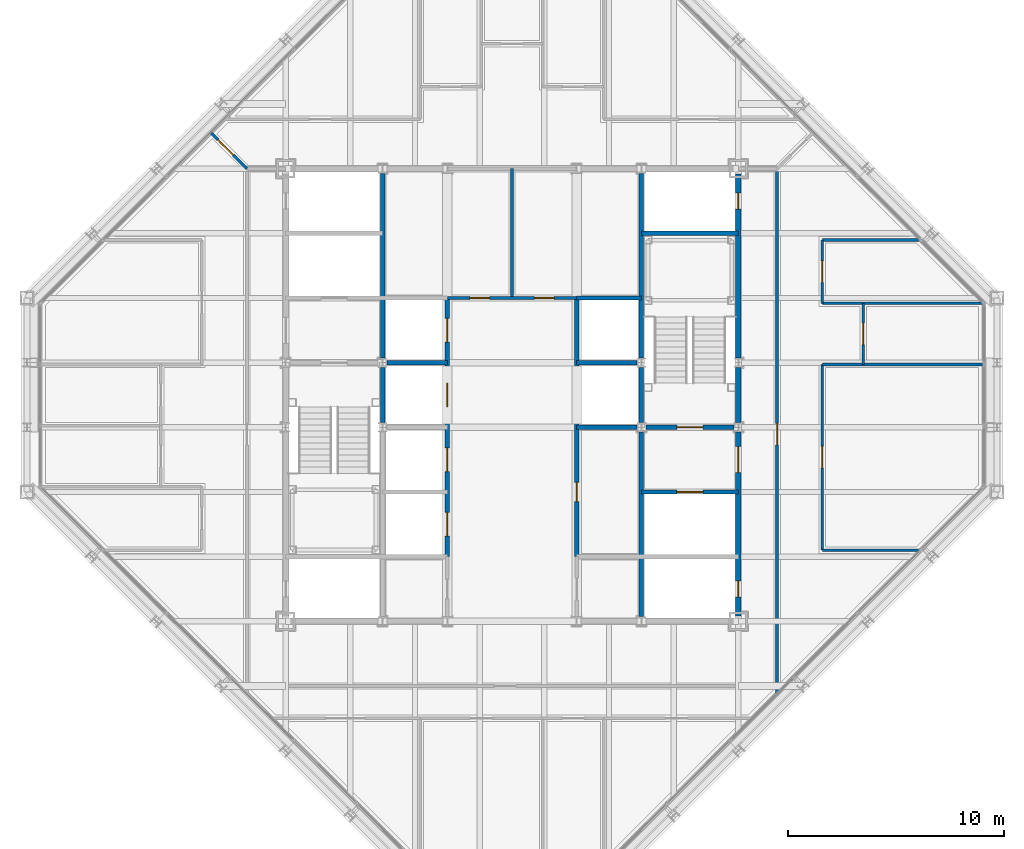
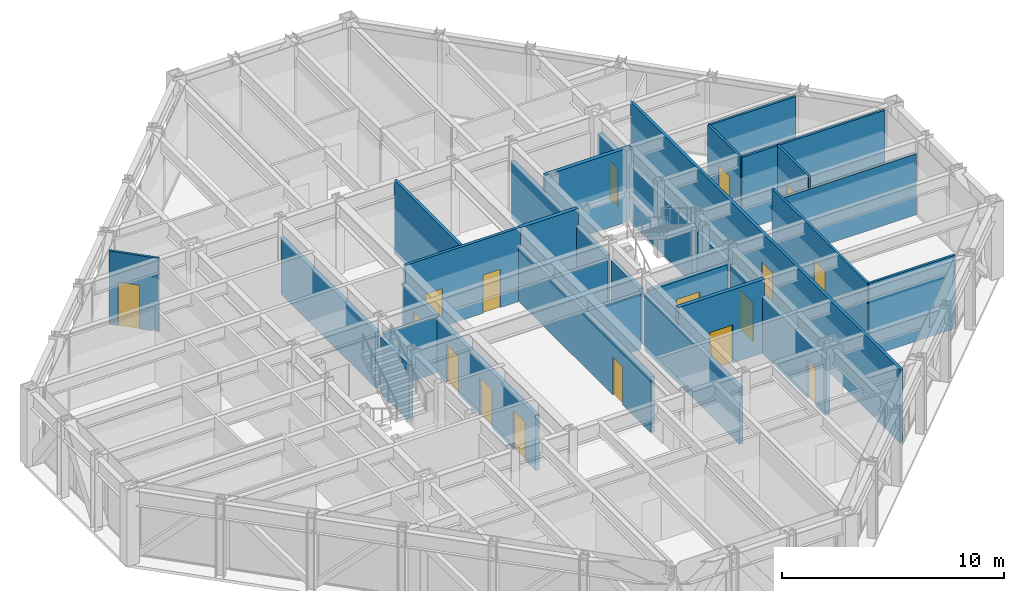
# One storey, part 11 of 15: 28 walls, 17 doors, 17 openings.
"""IFC4 building model written with IfcOpenShell, lengths in metres."""

import ifcopenshell
import ifcopenshell.guid

model = None  # the IFC model being written
_history = None  # IfcOwnerHistory: only IFC2X3 demands one
_inside = {}  # id of a spatial element -> (the spatial element, [elements in it])
_under = {}  # id of a project, library or spatial element -> (it, [spatial elements below it])
_declared = {}  # id of a project -> (the project, [libraries it declares])
_typed = {}  # id of a type object -> (the type object, [elements of that type])
_made_of = {}  # id of a material, layer set ... -> (it, [elements and type objects made of it])


def new_model(schema):
    """Start an empty IFC model of exactly this schema.

    Asked for "IFC4X3", IfcOpenShell would pick the latest addendum, in which some entities
    have other attributes; the version numbers below select the first issue.
    IFC2X3 requires an IfcOwnerHistory on every rooted entity: one is made here for all.
    """
    global model, _history
    if schema == "IFC4X3":
        model = ifcopenshell.file(schema_version=(4, 3, 0, 0))
    else:
        model = ifcopenshell.file(schema=schema)
    _inside.clear()
    _under.clear()
    _declared.clear()
    _typed.clear()
    _made_of.clear()
    _history = None
    if model.schema == "IFC2X3":
        org = make("IfcOrganization", Name="unknown")
        user = make(
            "IfcPersonAndOrganization",
            ThePerson=make("IfcPerson", FamilyName="unknown"),
            TheOrganization=org,
        )
        app = make(
            "IfcApplication",
            ApplicationDeveloper=org,
            Version="unknown",
            ApplicationFullName="unknown",
            ApplicationIdentifier="unknown",
        )
        _history = make(
            "IfcOwnerHistory",
            OwningUser=user,
            OwningApplication=app,
            ChangeAction="ADDED",
            CreationDate=0,
        )
    return model


def make(cls, **values):
    """One entity of the class cls with the attributes given. An attribute that is None is left unset."""
    return model.create_entity(
        cls, **{name: value for name, value in values.items() if value is not None}
    )


def rooted(cls, **values):
    """An entity with a GlobalId (a new one), such as an element, a storey or a relation."""
    return make(cls, GlobalId=ifcopenshell.guid.new(), OwnerHistory=_history, **values)


def si_unit(unit_type, name, prefix=None):
    """IfcSIUnit, for example si_unit("LENGTHUNIT", "METRE", prefix="MILLI")."""
    return make("IfcSIUnit", UnitType=unit_type, Prefix=prefix, Name=name)


def assignment(units):
    """IfcUnitAssignment: the units of a project."""
    return None if units is None else make("IfcUnitAssignment", Units=units)


def point(xyz):
    """IfcCartesianPoint."""
    return None if xyz is None else make("IfcCartesianPoint", Coordinates=xyz)


def direction(xyz):
    """IfcDirection."""
    return None if xyz is None else make("IfcDirection", DirectionRatios=xyz)


def frame(location, z_axis=None, x_axis=None):
    """IfcAxis2Placement3D, a coordinate frame: its origin and axes. An axis left out is left unset."""
    return make(
        "IfcAxis2Placement3D",
        Location=point(location),
        Axis=direction(z_axis),
        RefDirection=direction(x_axis),
    )


def frame_2d(location, x_axis=None):
    """IfcAxis2Placement2D, a coordinate frame in the plane: its origin and x axis."""
    return make(
        "IfcAxis2Placement2D", Location=point(location), RefDirection=direction(x_axis)
    )


def origin():
    """The frame at (0, 0, 0) with its axes left unset."""
    return frame((0.0, 0.0, 0.0))


def place(relative_to, where):
    """IfcLocalPlacement: puts the frame where relative to a parent placement (None: the world)."""
    return make(
        "IfcLocalPlacement", PlacementRelTo=relative_to, RelativePlacement=where
    )


def context(
    kind, dimensions, precision=None, world=None, true_north=None, identifier=None
):
    """IfcGeometricRepresentationContext, for example the 3D "Model" context."""
    return make(
        "IfcGeometricRepresentationContext",
        ContextIdentifier=identifier,
        ContextType=kind,
        CoordinateSpaceDimension=dimensions,
        Precision=precision,
        WorldCoordinateSystem=world,
        TrueNorth=true_north,
    )


def subcontext(parent, identifier, kind, view, scale=None):
    """IfcGeometricRepresentationSubContext, for example "Body" below "Model"."""
    return make(
        "IfcGeometricRepresentationSubContext",
        ContextIdentifier=identifier,
        ContextType=kind,
        ParentContext=parent,
        TargetScale=scale,
        TargetView=view,
    )


def project(units=None, contexts=None):
    """IfcProject with its units and contexts."""
    return rooted(
        "IfcProject",
        Name="project",
        RepresentationContexts=contexts,
        UnitsInContext=assignment(units),
    )


def spatial(cls, under=None, at=None, **own):
    """A site, building, storey or space (cls), placed at a placement, below another one or the project."""
    s = rooted(cls, ObjectPlacement=at, **own)
    if under is not None:
        _under.setdefault(under.id(), (under, []))[1].append(s)
    return s


def profile(cls, at=None, kind="AREA", **sizes):
    """A parametric profile (cls). Its sizes go by their IFC names, for example OverallWidth=200.0."""
    return make(cls, ProfileType=kind, Position=at, **sizes)


def rectangle(**sizes):
    """IfcRectangleProfileDef."""
    return profile("IfcRectangleProfileDef", **sizes)


def extrude(swept, where, along, depth):
    """IfcExtrudedAreaSolid: the profile swept, set in the frame where, extruded along a direction by depth."""
    return make(
        "IfcExtrudedAreaSolid",
        SweptArea=swept,
        Position=where,
        ExtrudedDirection=direction(along),
        Depth=depth,
    )


def shape(context_of_items, identifier, shape_type, items):
    """IfcShapeRepresentation: the items that make up one representation, for example the "Body"."""
    return make(
        "IfcShapeRepresentation",
        ContextOfItems=context_of_items,
        RepresentationIdentifier=identifier,
        RepresentationType=shape_type,
        Items=items,
    )


def material(Name=None, Category=None):
    """IfcMaterial."""
    return make("IfcMaterial", Name=Name, Category=Category)


def layer(
    of_material, thickness, ventilated=None, Name=None, Category=None, Priority=None
):
    """IfcMaterialLayer: one layer of a wall or slab, of a material (None: an air gap)."""
    return make(
        "IfcMaterialLayer",
        Material=of_material,
        LayerThickness=thickness,
        IsVentilated=ventilated,
        Name=Name,
        Category=Category,
        Priority=Priority,
    )


def layer_set(layers, Name=None):
    """IfcMaterialLayerSet."""
    return make("IfcMaterialLayerSet", MaterialLayers=layers, LayerSetName=Name)


def made_of(thing, what):
    """Note that an element or type object is made of a material, layer set ...; save() writes the relation."""
    if what is not None:
        _made_of.setdefault(what.id(), (what, []))[1].append(thing)
    return thing


def type_object(cls, material=None, **own):
    """A type object (cls), such as IfcWallType, which elements share."""
    return made_of(rooted(cls, **own), material)


def element(
    cls,
    number,
    at=None,
    inside=None,
    cuts=None,
    type_object=None,
    material=None,
    context=None,
    identifier="Body",
    shape_type=None,
    held_by="IfcProductDefinitionShape",
    body=None,
    shapes=None,
    **own,
):
    """One element of the class cls, such as IfcWall. Its Tag is "e" and its number.

    at: its placement. inside: the storey or other place that contains it. cuts: it is an
    opening in that element (IfcRelVoidsElement). A single representation is given by context,
    identifier, shape_type and body (its items); several are given by shapes. held_by: the class
    of the entity that holds the representations. save() writes the other relations.
    """
    e = rooted(cls, Tag="e%d" % number, ObjectPlacement=at, **own)
    if body is not None:
        shapes = [shape(context, identifier, shape_type, body)]
    if shapes is not None:
        e.Representation = make(held_by, Representations=shapes)
    if inside is not None:
        _inside.setdefault(inside.id(), (inside, []))[1].append(e)
    if cuts is not None:
        rooted(
            "IfcRelVoidsElement", RelatingBuildingElement=cuts, RelatedOpeningElement=e
        )
    if type_object is not None:
        _typed.setdefault(type_object.id(), (type_object, []))[1].append(e)
    return made_of(e, material)


def fill(opening, filler):
    """IfcRelFillsElement: the door or window that sits in an opening."""
    return rooted(
        "IfcRelFillsElement",
        RelatingOpeningElement=opening,
        RelatedBuildingElement=filler,
    )


def aggregate(whole, parts):
    """IfcRelAggregates: a whole, such as a stair, and the parts it consists of."""
    return rooted("IfcRelAggregates", RelatingObject=whole, RelatedObjects=parts)


def save(model, path):
    """Write the relations noted so far, then the file.

    IfcRelAggregates (storeys below a building ...), IfcRelContainedInSpatialStructure (elements
    in a storey), IfcRelDefinesByType, IfcRelAssociatesMaterial and IfcRelDeclares: one each for
    every whole, place, type object, material and project.
    """
    for whole, parts in _under.values():
        aggregate(whole, parts)
    for where, things in _inside.values():
        rooted(
            "IfcRelContainedInSpatialStructure",
            RelatedElements=things,
            RelatingStructure=where,
        )
    for kind, things in _typed.values():
        rooted("IfcRelDefinesByType", RelatedObjects=things, RelatingType=kind)
    for what, things in _made_of.values():
        rooted("IfcRelAssociatesMaterial", RelatedObjects=things, RelatingMaterial=what)
    for by, libraries in _declared.values():
        rooted("IfcRelDeclares", RelatingContext=by, RelatedDefinitions=libraries)
    model.write(path)


model = new_model("IFC4")

# Units and contexts
model_context = context("Model", 3, precision=1e-05, world=origin(), true_north=direction((0.0, 1.0)))
body_context = subcontext(model_context, "Body", "Model", "MODEL_VIEW")
ifc_project = project(units=[si_unit("LENGTHUNIT", "METRE"), si_unit("AREAUNIT", "SQUARE_METRE"), si_unit("VOLUMEUNIT", "CUBIC_METRE"), si_unit("PLANEANGLEUNIT", "RADIAN"), si_unit("MASSUNIT", "GRAM", prefix="KILO")], contexts=[model_context])

# Site, building, storey
site_placement = place(None, origin())
site = spatial("IfcSite", under=ifc_project, at=site_placement, CompositionType="ELEMENT")
building_placement = place(site_placement, origin())
building = spatial("IfcBuilding", under=site, at=building_placement, Name="Chuquiago Exchange Tower", CompositionType="ELEMENT")
storey_placement = place(building_placement, frame((0.0, 0.0, 287.39990234375)))
storey = spatial("IfcBuildingStorey", under=building, at=storey_placement, Name="L64", CompositionType="ELEMENT", Elevation=287.39990234375)

# Wall, openings, doors
ifc_material_1 = material(Name="Concrete masonry, fully grouted", Category="masonry")
ifc_layer_1 = layer(ifc_material_1, 0.25)
ifc_layer_set_1 = layer_set([ifc_layer_1], Name="W1 core wall 250")
wall_type_1 = type_object("IfcWallType", Name="W1 core wall 250", PredefinedType="SOLIDWALL", material=ifc_layer_set_1)
wall_1_placement = place(storey_placement, frame((33.0, 12.25, 0.0), z_axis=(0.0, 0.0, 1.0), x_axis=(0.0, 1.0, 0.0)))
wall_1 = element("IfcWall", 1, at=wall_1_placement, inside=storey, type_object=wall_type_1, Name="CW-L64-25-0", PredefinedType="SOLIDWALL", context=body_context, shape_type="SweptSolid", body=[
    extrude(rectangle(XDim=8.527587890625, YDim=0.25, at=frame_2d((4.263671875, 0.0))), origin(), (0.0, 0.0, 1.0), 3.113037109375),
])
opening_1_placement = place(wall_1_placement, frame((6.64990234375, 0.0, 0.0)))
opening_1 = element("IfcOpeningElement", 2, at=opening_1_placement, cuts=wall_1, Name="Opening L64-004", PredefinedType="OPENING", context=body_context, shape_type="SweptSolid", body=[
    extrude(rectangle(XDim=1.199951171875, YDim=2.10009765625, at=frame_2d((0.60009765625, 1.050048828125))), frame((0.0, 0.135009765625, 0.0), z_axis=(0.0, -1.0, 0.0), x_axis=(1.0, 0.0, 0.0)), (0.0, 0.0, 1.0), 0.27001953125),
])
opening_2_placement = place(wall_1_placement, frame((0.875, 0.0, 0.0)))
opening_2 = element("IfcOpeningElement", 3, at=opening_2_placement, cuts=wall_1, Name="Opening L64-009", PredefinedType="OPENING", context=body_context, shape_type="SweptSolid", body=[
    extrude(rectangle(XDim=0.75, YDim=2.10009765625, at=frame_2d((0.375, 1.050048828125))), frame((0.0, 0.135009765625, 0.0), z_axis=(0.0, -1.0, 0.0), x_axis=(1.0, 0.0, 0.0)), (0.0, 0.0, 1.0), 0.27001953125),
])
ifc_material_2 = material(Name="Steel door, painted", Category="steel")
door_type_1 = type_object("IfcDoorType", Name="D5 firefighting lobby door 1200x2100", OperationType="SINGLE_SWING_LEFT", PredefinedType="DOOR", material=ifc_material_2)
door_1_placement = place(opening_1_placement, origin())
door_1 = element("IfcDoor", 4, at=door_1_placement, inside=storey, type_object=door_type_1, Name="Firefighting lobby 2 door", OperationType="SINGLE_SWING_RIGHT", OverallHeight=2.10009765625, OverallWidth=1.199951171875, PredefinedType="DOOR", context=body_context, shape_type="SweptSolid", body=[
    extrude(rectangle(XDim=1.199951171875, YDim=2.10009765625, at=frame_2d((0.60009765625, 1.050048828125))), frame((0.0, 0.02490234375, 0.0), z_axis=(0.0, -1.0, 0.0), x_axis=(1.0, 0.0, 0.0)), (0.0, 0.0, 1.0), 0.050048828125),
])
fill(opening_1, door_1)
ifc_material_3 = material(Name="Steel door, painted", Category="steel")
door_type_2 = type_object("IfcDoorType", Name="D6 riser access door 750x2100", OperationType="SINGLE_SWING_LEFT", PredefinedType="DOOR", material=ifc_material_3)
door_2_placement = place(opening_2_placement, origin())
door_2 = element("IfcDoor", 5, at=door_2_placement, inside=storey, type_object=door_type_2, Name="Riser RE1 door", OperationType="SINGLE_SWING_LEFT", OverallHeight=2.10009765625, OverallWidth=0.75, PredefinedType="DOOR", context=body_context, shape_type="SweptSolid", body=[
    extrude(rectangle(XDim=0.75, YDim=2.10009765625, at=frame_2d((0.375, 1.050048828125))), frame((0.0, 0.02490234375, 0.0), z_axis=(0.0, -1.0, 0.0), x_axis=(1.0, 0.0, 0.0)), (0.0, 0.0, 1.0), 0.050048828125),
])
fill(opening_2, door_2)

# Wall
wall_2_placement = place(storey_placement, frame((33.0, 21.222412109375, 0.0), z_axis=(0.0, 0.0, 1.0), x_axis=(0.0, 1.0, 0.0)))
element("IfcWall", 6, at=wall_2_placement, inside=storey, type_object=wall_type_1, Name="CW-L64-25-1", PredefinedType="SOLIDWALL", context=body_context, shape_type="SweptSolid", body=[
    extrude(rectangle(XDim=2.55517578125, YDim=0.25, at=frame_2d((1.277587890625, 0.0))), origin(), (0.0, 0.0, 1.0), 3.113037109375),
])

# Wall, opening, door
wall_3_placement = place(storey_placement, frame((33.0, 24.222412109375, 0.0), z_axis=(0.0, 0.0, 1.0), x_axis=(0.0, 1.0, 0.0)))
wall_3 = element("IfcWall", 7, at=wall_3_placement, inside=storey, type_object=wall_type_1, Name="CW-L64-25-2", PredefinedType="SOLIDWALL", context=body_context, shape_type="SweptSolid", body=[
    extrude(rectangle(XDim=8.527587890625, YDim=0.25, at=frame_2d((4.263671875, 0.0))), origin(), (0.0, 0.0, 1.0), 3.113037109375),
])
opening_3_placement = place(wall_3_placement, frame((6.902587890625, 0.0, 0.0)))
opening_3 = element("IfcOpeningElement", 8, at=opening_3_placement, cuts=wall_3, Name="Opening L64-010", PredefinedType="OPENING", context=body_context, shape_type="SweptSolid", body=[
    extrude(rectangle(XDim=0.75, YDim=2.10009765625, at=frame_2d((0.375, 1.050048828125))), frame((0.0, 0.135009765625, 0.0), z_axis=(0.0, -1.0, 0.0), x_axis=(1.0, 0.0, 0.0)), (0.0, 0.0, 1.0), 0.27001953125),
])
door_3_placement = place(opening_3_placement, origin())
door_3 = element("IfcDoor", 9, at=door_3_placement, inside=storey, type_object=door_type_2, Name="Riser RE2 door", OperationType="SINGLE_SWING_RIGHT", OverallHeight=2.10009765625, OverallWidth=0.75, PredefinedType="DOOR", context=body_context, shape_type="SweptSolid", body=[
    extrude(rectangle(XDim=0.75, YDim=2.10009765625, at=frame_2d((0.375, 1.050048828125))), frame((0.0, 0.02490234375, 0.0), z_axis=(0.0, -1.0, 0.0), x_axis=(1.0, 0.0, 0.0)), (0.0, 0.0, 1.0), 0.050048828125),
])
fill(opening_3, door_3)

ifc_material_4 = material(Name="Gypsum board on steel studs, acoustic insulation", Category="steel")
ifc_layer_2 = layer(ifc_material_4, 0.14990234375)
ifc_layer_set_2 = layer_set([ifc_layer_2], Name="W11 corridor wall 150")
wall_type_2 = type_object("IfcWallType", Name="W11 corridor wall 150", PredefinedType="PARTITIONING", material=ifc_layer_set_2)
wall_4_placement = place(storey_placement, frame((34.800048828125, 8.685546875, 0.0), z_axis=(0.0, 0.0, 1.0), x_axis=(0.0, 1.0, 0.0)))
wall_4 = element("IfcWall", 10, at=wall_4_placement, inside=storey, type_object=wall_type_2, Name="PW-L64-GE0", PredefinedType="PARTITIONING", context=body_context, shape_type="SweptSolid", body=[
    extrude(rectangle(XDim=24.314453125, YDim=0.14990234375, at=frame_2d((12.1572265625, 0.0))), origin(), (0.0, 0.0, 1.0), 4.0400390625),
])
opening_4_placement = place(wall_4_placement, frame((11.5, 0.0, 0.0)))
opening_4 = element("IfcOpeningElement", 11, at=opening_4_placement, cuts=wall_4, Name="Opening L64-038", PredefinedType="OPENING", context=body_context, shape_type="SweptSolid", body=[
    extrude(rectangle(XDim=1.0, YDim=2.39990234375, at=frame_2d((0.5, 1.199951171875))), frame((0.0, 0.0849609375, 0.0), z_axis=(0.0, -1.0, 0.0), x_axis=(1.0, 0.0, 0.0)), (0.0, 0.0, 1.0), 0.169921875),
])
ifc_material_5 = material(Name="Timber door, laminate faced", Category="wood")
door_type_3 = type_object("IfcDoorType", Name="D9 room door 1000x2400", OperationType="SINGLE_SWING_LEFT", PredefinedType="DOOR", material=ifc_material_5)
door_4_placement = place(opening_4_placement, frame((1.0, 0.0, 0.0), z_axis=(0.0, 0.0, 1.0), x_axis=(-1.0, 0.0, 0.0)))
door_4 = element("IfcDoor", 12, at=door_4_placement, inside=storey, type_object=door_type_3, Name="Team area door", OperationType="SINGLE_SWING_RIGHT", OverallHeight=2.39990234375, OverallWidth=1.0, PredefinedType="DOOR", context=body_context, shape_type="SweptSolid", body=[
    extrude(rectangle(XDim=1.0, YDim=2.39990234375, at=frame_2d((0.5, 1.199951171875))), frame((0.0, 0.02490234375, 0.0), z_axis=(0.0, -1.0, 0.0), x_axis=(1.0, 0.0, 0.0)), (0.0, 0.0, 1.0), 0.050048828125),
])
fill(opening_4, door_4)

# Walls
ifc_material_6 = material(Name="Concrete masonry, fully grouted", Category="masonry")
ifc_layer_3 = layer(ifc_material_6, 0.199951171875)
ifc_layer_set_3 = layer_set([ifc_layer_3], Name="W2 shaft wall 200")
wall_type_3 = type_object("IfcWallType", Name="W2 shaft wall 200", PredefinedType="SOLIDWALL", material=ifc_layer_set_3)
for number, where, z_axis, x_axis, name in (
    (13, (16.708251953125, 24.0, 0.0), (0.0, 0.0, 1.0), (1.0, 0.0, 0.0), "CW-L64-05-1"),
    (14, (25.5, 24.0, 0.0), (0.0, 0.0, 1.0), (1.0, 0.0, 0.0), "CW-L64-06-0"),
):
    element("IfcWall", number, at=place(storey_placement, frame(where, z_axis=z_axis, x_axis=x_axis)), inside=storey, type_object=wall_type_3, Name=name, PredefinedType="SOLIDWALL", context=body_context, shape_type="SweptSolid", body=[
        extrude(rectangle(XDim=2.791748046875, YDim=0.199951171875, at=frame_2d((1.39599609375, 0.0))), origin(), (0.0, 0.0, 1.0), 3.090087890625),
    ])
wall_5_placement = place(storey_placement, frame((25.5, 27.0, 0.0), z_axis=(0.0, 0.0, 1.0), x_axis=(1.0, 0.0, 0.0)))
element("IfcWall", 15, at=wall_5_placement, inside=storey, type_object=wall_type_3, Name="CW-L64-08-0", PredefinedType="SOLIDWALL", context=body_context, shape_type="SweptSolid", body=[
    extrude(rectangle(XDim=3.0, YDim=0.199951171875, at=frame_2d((1.5, 0.0))), origin(), (0.0, 0.0, 1.0), 4.0400390625),
])
wall_6_placement = place(storey_placement, frame((28.5, 30.0, 0.0), z_axis=(0.0, 0.0, 1.0), x_axis=(1.0, 0.0, 0.0)))
element("IfcWall", 16, at=wall_6_placement, inside=storey, type_object=wall_type_3, Name="CW-L64-10-0", PredefinedType="SOLIDWALL", context=body_context, shape_type="SweptSolid", body=[
    extrude(rectangle(XDim=4.5, YDim=0.199951171875, at=frame_2d((2.25, 0.0))), origin(), (0.0, 0.0, 1.0), 4.0400390625),
])
wall_7_placement = place(storey_placement, frame((16.5, 21.222412109375, 0.0), z_axis=(0.0, 0.0, 1.0), x_axis=(0.0, 1.0, 0.0)))
element("IfcWall", 17, at=wall_7_placement, inside=storey, type_object=wall_type_3, Name="CW-L64-13-1", PredefinedType="SOLIDWALL", context=body_context, shape_type="SweptSolid", body=[
    extrude(rectangle(XDim=2.55517578125, YDim=0.199951171875, at=frame_2d((1.277587890625, 0.0))), origin(), (0.0, 0.0, 1.0), 3.113037109375),
])
wall_8_placement = place(storey_placement, frame((16.5, 24.222412109375, 0.0), z_axis=(0.0, 0.0, 1.0), x_axis=(0.0, 1.0, 0.0)))
element("IfcWall", 18, at=wall_8_placement, inside=storey, type_object=wall_type_3, Name="CW-L64-13-2", PredefinedType="SOLIDWALL", context=body_context, shape_type="SweptSolid", body=[
    extrude(rectangle(XDim=8.55517578125, YDim=0.199951171875, at=frame_2d((4.277587890625, 0.0))), origin(), (0.0, 0.0, 1.0), 3.113037109375),
])

# Wall, opening, door
wall_9_placement = place(storey_placement, frame((28.5, 18.0, 0.0), z_axis=(0.0, 0.0, 1.0), x_axis=(1.0, 0.0, 0.0)))
wall_9 = element("IfcWall", 19, at=wall_9_placement, inside=storey, type_object=wall_type_3, Name="CW-L64-15-0", PredefinedType="SOLIDWALL", context=body_context, shape_type="SweptSolid", body=[
    extrude(rectangle(XDim=4.5, YDim=0.199951171875, at=frame_2d((2.25, 0.0))), origin(), (0.0, 0.0, 1.0), 4.0400390625),
])
opening_5_placement = place(wall_9_placement, frame((1.64990234375, 0.0, 0.0)))
opening_5 = element("IfcOpeningElement", 20, at=opening_5_placement, cuts=wall_9, Name="Opening L64-006", PredefinedType="OPENING", context=body_context, shape_type="SweptSolid", body=[
    extrude(rectangle(XDim=1.199951171875, YDim=2.10009765625, at=frame_2d((0.60009765625, 1.050048828125))), frame((0.0, 0.10986328125, 0.0), z_axis=(0.0, -1.0, 0.0), x_axis=(1.0, 0.0, 0.0)), (0.0, 0.0, 1.0), 0.219970703125),
])
ifc_material_7 = material(Name="Stainless steel lift landing door", Category="steel")
door_type_4 = type_object("IfcDoorType", Name="LD2 firefighting lift landing door 1200x2100", OperationType="DOUBLE_DOOR_SLIDING", PredefinedType="DOOR", material=ifc_material_7)
door_5_placement = place(opening_5_placement, origin())
door_5 = element("IfcDoor", 21, at=door_5_placement, inside=storey, type_object=door_type_4, Name="Firefighting lift FL2 landing door", OperationType="DOUBLE_DOOR_SLIDING", OverallHeight=2.10009765625, OverallWidth=1.199951171875, PredefinedType="DOOR", context=body_context, shape_type="SweptSolid", body=[
    extrude(rectangle(XDim=1.199951171875, YDim=2.10009765625, at=frame_2d((0.60009765625, 1.050048828125))), frame((0.0, 0.02490234375, 0.0), z_axis=(0.0, -1.0, 0.0), x_axis=(1.0, 0.0, 0.0)), (0.0, 0.0, 1.0), 0.050048828125),
])
fill(opening_5, door_5)

# Wall
wall_10_placement = place(storey_placement, frame((25.5, 21.0, 0.0), z_axis=(0.0, 0.0, 1.0), x_axis=(1.0, 0.0, 0.0)))
element("IfcWall", 22, at=wall_10_placement, inside=storey, type_object=wall_type_3, Name="CW-L64-17-0", PredefinedType="SOLIDWALL", context=body_context, shape_type="SweptSolid", body=[
    extrude(rectangle(XDim=2.791748046875, YDim=0.199951171875, at=frame_2d((1.39599609375, 0.0))), origin(), (0.0, 0.0, 1.0), 3.090087890625),
])

# Wall, opening, door
wall_11_placement = place(storey_placement, frame((28.708251953125, 21.0, 0.0), z_axis=(0.0, 0.0, 1.0), x_axis=(1.0, 0.0, 0.0)))
wall_11 = element("IfcWall", 23, at=wall_11_placement, inside=storey, type_object=wall_type_3, Name="CW-L64-17-1", PredefinedType="SOLIDWALL", context=body_context, shape_type="SweptSolid", body=[
    extrude(rectangle(XDim=4.08349609375, YDim=0.199951171875, at=frame_2d((2.041748046875, 0.0))), origin(), (0.0, 0.0, 1.0), 3.090087890625),
])
opening_6_placement = place(wall_11_placement, frame((1.441650390625, 0.0, 0.0)))
opening_6 = element("IfcOpeningElement", 24, at=opening_6_placement, cuts=wall_11, Name="Opening L64-003", PredefinedType="OPENING", context=body_context, shape_type="SweptSolid", body=[
    extrude(rectangle(XDim=1.199951171875, YDim=2.10009765625, at=frame_2d((0.60009765625, 1.050048828125))), frame((0.0, 0.10986328125, 0.0), z_axis=(0.0, -1.0, 0.0), x_axis=(1.0, 0.0, 0.0)), (0.0, 0.0, 1.0), 0.219970703125),
])
ifc_material_8 = material(Name="Steel door, painted", Category="steel")
door_type_5 = type_object("IfcDoorType", Name="D4 stair door 1200x2100", OperationType="SINGLE_SWING_LEFT", PredefinedType="DOOR", material=ifc_material_8)
door_6_placement = place(opening_6_placement, origin())
door_6 = element("IfcDoor", 25, at=door_6_placement, inside=storey, type_object=door_type_5, Name="Stair ST2 door", OperationType="SINGLE_SWING_RIGHT", OverallHeight=2.10009765625, OverallWidth=1.199951171875, PredefinedType="DOOR", context=body_context, shape_type="SweptSolid", body=[
    extrude(rectangle(XDim=1.199951171875, YDim=2.10009765625, at=frame_2d((0.60009765625, 1.050048828125))), frame((0.0, 0.02490234375, 0.0), z_axis=(0.0, -1.0, 0.0), x_axis=(1.0, 0.0, 0.0)), (0.0, 0.0, 1.0), 0.050048828125),
])
fill(opening_6, door_6)

# Wall, openings, doors
wall_12_placement = place(storey_placement, frame((19.5, 15.0, 0.0), z_axis=(0.0, 0.0, 1.0), x_axis=(0.0, 1.0, 0.0)))
wall_12 = element("IfcWall", 26, at=wall_12_placement, inside=storey, type_object=wall_type_3, Name="CW-L64-19-0", PredefinedType="SOLIDWALL", context=body_context, shape_type="SweptSolid", body=[
    extrude(rectangle(XDim=12.0, YDim=0.199951171875, at=frame_2d((6.0, 0.0))), origin(), (0.0, 0.0, 1.0), 3.064697265625),
])
opening_7_placement = place(wall_12_placement, frame((0.949951171875, 0.0, 0.0)))
opening_7 = element("IfcOpeningElement", 27, at=opening_7_placement, cuts=wall_12, Name="Opening L64-016", PredefinedType="OPENING", context=body_context, shape_type="SweptSolid", body=[
    extrude(rectangle(XDim=1.10009765625, YDim=2.10009765625, at=frame_2d((0.550048828125, 1.050048828125))), frame((0.0, 0.10986328125, 0.0), z_axis=(0.0, -1.0, 0.0), x_axis=(1.0, 0.0, 0.0)), (0.0, 0.0, 1.0), 0.219970703125),
])
opening_8_placement = place(wall_12_placement, frame((3.949951171875, 0.0, 0.0)))
opening_8 = element("IfcOpeningElement", 28, at=opening_8_placement, cuts=wall_12, Name="Opening L64-017", PredefinedType="OPENING", context=body_context, shape_type="SweptSolid", body=[
    extrude(rectangle(XDim=1.10009765625, YDim=2.10009765625, at=frame_2d((0.550048828125, 1.050048828125))), frame((0.0, 0.10986328125, 0.0), z_axis=(0.0, -1.0, 0.0), x_axis=(1.0, 0.0, 0.0)), (0.0, 0.0, 1.0), 0.219970703125),
])
opening_9_placement = place(wall_12_placement, frame((6.949951171875, 0.0, 0.0)))
opening_9 = element("IfcOpeningElement", 29, at=opening_9_placement, cuts=wall_12, Name="Opening L64-018", PredefinedType="OPENING", context=body_context, shape_type="SweptSolid", body=[
    extrude(rectangle(XDim=1.10009765625, YDim=2.10009765625, at=frame_2d((0.550048828125, 1.050048828125))), frame((0.0, 0.10986328125, 0.0), z_axis=(0.0, -1.0, 0.0), x_axis=(1.0, 0.0, 0.0)), (0.0, 0.0, 1.0), 0.219970703125),
])
opening_10_placement = place(wall_12_placement, frame((9.949951171875, 0.0, 0.0)))
opening_10 = element("IfcOpeningElement", 30, at=opening_10_placement, cuts=wall_12, Name="Opening L64-019", PredefinedType="OPENING", context=body_context, shape_type="SweptSolid", body=[
    extrude(rectangle(XDim=1.10009765625, YDim=2.10009765625, at=frame_2d((0.550048828125, 1.050048828125))), frame((0.0, 0.10986328125, 0.0), z_axis=(0.0, -1.0, 0.0), x_axis=(1.0, 0.0, 0.0)), (0.0, 0.0, 1.0), 0.219970703125),
])
ifc_material_9 = material(Name="Stainless steel lift landing door", Category="steel")
door_type_6 = type_object("IfcDoorType", Name="LD1 lift landing door 1100x2100", OperationType="DOUBLE_DOOR_SLIDING", PredefinedType="DOOR", material=ifc_material_9)
door_7_placement = place(opening_7_placement, origin())
door_7 = element("IfcDoor", 31, at=door_7_placement, inside=storey, type_object=door_type_6, Name="Lift LD1 landing door", OperationType="DOUBLE_DOOR_SLIDING", OverallHeight=2.10009765625, OverallWidth=1.10009765625, PredefinedType="DOOR", context=body_context, shape_type="SweptSolid", body=[
    extrude(rectangle(XDim=1.10009765625, YDim=2.10009765625, at=frame_2d((0.550048828125, 1.050048828125))), frame((0.0, 0.02490234375, 0.0), z_axis=(0.0, -1.0, 0.0), x_axis=(1.0, 0.0, 0.0)), (0.0, 0.0, 1.0), 0.050048828125),
])
fill(opening_7, door_7)
door_8_placement = place(opening_8_placement, origin())
door_8 = element("IfcDoor", 32, at=door_8_placement, inside=storey, type_object=door_type_6, Name="Lift LD2 landing door", OperationType="DOUBLE_DOOR_SLIDING", OverallHeight=2.10009765625, OverallWidth=1.10009765625, PredefinedType="DOOR", context=body_context, shape_type="SweptSolid", body=[
    extrude(rectangle(XDim=1.10009765625, YDim=2.10009765625, at=frame_2d((0.550048828125, 1.050048828125))), frame((0.0, 0.02490234375, 0.0), z_axis=(0.0, -1.0, 0.0), x_axis=(1.0, 0.0, 0.0)), (0.0, 0.0, 1.0), 0.050048828125),
])
fill(opening_8, door_8)
door_9_placement = place(opening_9_placement, origin())
door_9 = element("IfcDoor", 33, at=door_9_placement, inside=storey, type_object=door_type_6, Name="Lift LD3 landing door", OperationType="DOUBLE_DOOR_SLIDING", OverallHeight=2.10009765625, OverallWidth=1.10009765625, PredefinedType="DOOR", context=body_context, shape_type="SweptSolid", body=[
    extrude(rectangle(XDim=1.10009765625, YDim=2.10009765625, at=frame_2d((0.550048828125, 1.050048828125))), frame((0.0, 0.02490234375, 0.0), z_axis=(0.0, -1.0, 0.0), x_axis=(1.0, 0.0, 0.0)), (0.0, 0.0, 1.0), 0.050048828125),
])
fill(opening_9, door_9)
door_10_placement = place(opening_10_placement, origin())
door_10 = element("IfcDoor", 34, at=door_10_placement, inside=storey, type_object=door_type_6, Name="Lift LD4 landing door", OperationType="DOUBLE_DOOR_SLIDING", OverallHeight=2.10009765625, OverallWidth=1.10009765625, PredefinedType="DOOR", context=body_context, shape_type="SweptSolid", body=[
    extrude(rectangle(XDim=1.10009765625, YDim=2.10009765625, at=frame_2d((0.550048828125, 1.050048828125))), frame((0.0, 0.02490234375, 0.0), z_axis=(0.0, -1.0, 0.0), x_axis=(1.0, 0.0, 0.0)), (0.0, 0.0, 1.0), 0.050048828125),
])
fill(opening_10, door_10)

# Wall, opening, door
wall_13_placement = place(storey_placement, frame((25.5, 15.0, 0.0), z_axis=(0.0, 0.0, 1.0), x_axis=(0.0, 1.0, 0.0)))
wall_13 = element("IfcWall", 35, at=wall_13_placement, inside=storey, type_object=wall_type_3, Name="CW-L64-22-0", PredefinedType="SOLIDWALL", context=body_context, shape_type="SweptSolid", body=[
    extrude(rectangle(XDim=12.0, YDim=0.199951171875, at=frame_2d((6.0, 0.0))), origin(), (0.0, 0.0, 1.0), 3.064697265625),
])
opening_11_placement = place(wall_13_placement, frame((2.550048828125, 0.0, 0.0)))
opening_11 = element("IfcOpeningElement", 36, at=opening_11_placement, cuts=wall_13, Name="Opening L64-014", PredefinedType="OPENING", context=body_context, shape_type="SweptSolid", body=[
    extrude(rectangle(XDim=0.89990234375, YDim=2.10009765625, at=frame_2d((0.449951171875, 1.050048828125))), frame((0.0, 0.10986328125, 0.0), z_axis=(0.0, -1.0, 0.0), x_axis=(1.0, 0.0, 0.0)), (0.0, 0.0, 1.0), 0.219970703125),
])
ifc_material_10 = material(Name="Timber door, laminate faced", Category="wood")
door_type_7 = type_object("IfcDoorType", Name="D16 core room door 900x2100", OperationType="SINGLE_SWING_LEFT", PredefinedType="DOOR", material=ifc_material_10)
door_11_placement = place(opening_11_placement, frame((0.89990234375, 0.0, 0.0), z_axis=(0.0, 0.0, 1.0), x_axis=(-1.0, 0.0, 0.0)))
door_11 = element("IfcDoor", 37, at=door_11_placement, inside=storey, type_object=door_type_7, Name="Comms room door", OperationType="SINGLE_SWING_RIGHT", OverallHeight=2.10009765625, OverallWidth=0.89990234375, PredefinedType="DOOR", context=body_context, shape_type="SweptSolid", body=[
    extrude(rectangle(XDim=0.89990234375, YDim=2.10009765625, at=frame_2d((0.449951171875, 1.050048828125))), frame((0.0, 0.02490234375, 0.0), z_axis=(0.0, -1.0, 0.0), x_axis=(1.0, 0.0, 0.0)), (0.0, 0.0, 1.0), 0.050048828125),
])
fill(opening_11, door_11)

# Walls
wall_14_placement = place(storey_placement, frame((28.5, 12.222412109375, 0.0), z_axis=(0.0, 0.0, 1.0), x_axis=(0.0, 1.0, 0.0)))
element("IfcWall", 38, at=wall_14_placement, inside=storey, type_object=wall_type_3, Name="CW-L64-24-0", PredefinedType="SOLIDWALL", context=body_context, shape_type="SweptSolid", body=[
    extrude(rectangle(XDim=8.55517578125, YDim=0.199951171875, at=frame_2d((4.277587890625, 0.0))), origin(), (0.0, 0.0, 1.0), 3.113037109375),
])
wall_15_placement = place(storey_placement, frame((28.5, 21.222412109375, 0.0), z_axis=(0.0, 0.0, 1.0), x_axis=(0.0, 1.0, 0.0)))
element("IfcWall", 39, at=wall_15_placement, inside=storey, type_object=wall_type_3, Name="CW-L64-24-1", PredefinedType="SOLIDWALL", context=body_context, shape_type="SweptSolid", body=[
    extrude(rectangle(XDim=2.55517578125, YDim=0.199951171875, at=frame_2d((1.277587890625, 0.0))), origin(), (0.0, 0.0, 1.0), 3.113037109375),
])
wall_16_placement = place(storey_placement, frame((28.5, 24.222412109375, 0.0), z_axis=(0.0, 0.0, 1.0), x_axis=(0.0, 1.0, 0.0)))
element("IfcWall", 40, at=wall_16_placement, inside=storey, type_object=wall_type_3, Name="CW-L64-24-2", PredefinedType="SOLIDWALL", context=body_context, shape_type="SweptSolid", body=[
    extrude(rectangle(XDim=8.55517578125, YDim=0.199951171875, at=frame_2d((4.277587890625, 0.0))), origin(), (0.0, 0.0, 1.0), 3.113037109375),
])

# Wall, openings, doors
ifc_material_11 = material(Name="Gypsum board on steel studs", Category="steel")
ifc_layer_4 = layer(ifc_material_11, 0.14990234375)
ifc_layer_set_4 = layer_set([ifc_layer_4], Name="W3 core partition 150")
wall_type_4 = type_object("IfcWallType", Name="W3 core partition 150", PredefinedType="PARTITIONING", material=ifc_layer_set_4)
wall_17_placement = place(storey_placement, frame((19.5, 27.0, 0.0), z_axis=(0.0, 0.0, 1.0), x_axis=(1.0, 0.0, 0.0)))
wall_17 = element("IfcWall", 41, at=wall_17_placement, inside=storey, type_object=wall_type_4, Name="CW-L64-TF", PredefinedType="PARTITIONING", context=body_context, shape_type="SweptSolid", body=[
    extrude(rectangle(XDim=6.0, YDim=0.14990234375, at=frame_2d((3.0, 0.0))), origin(), (0.0, 0.0, 1.0), 4.0400390625),
])
opening_12_placement = place(wall_17_placement, frame((1.050048828125, 0.0, 0.0)))
opening_12 = element("IfcOpeningElement", 42, at=opening_12_placement, cuts=wall_17, Name="Opening L64-011", PredefinedType="OPENING", context=body_context, shape_type="SweptSolid", body=[
    extrude(rectangle(XDim=0.89990234375, YDim=2.10009765625, at=frame_2d((0.449951171875, 1.050048828125))), frame((0.0, 0.0849609375, 0.0), z_axis=(0.0, -1.0, 0.0), x_axis=(1.0, 0.0, 0.0)), (0.0, 0.0, 1.0), 0.169921875),
])
opening_13_placement = place(wall_17_placement, frame((4.050048828125, 0.0, 0.0)))
opening_13 = element("IfcOpeningElement", 43, at=opening_13_placement, cuts=wall_17, Name="Opening L64-012", PredefinedType="OPENING", context=body_context, shape_type="SweptSolid", body=[
    extrude(rectangle(XDim=0.89990234375, YDim=2.10009765625, at=frame_2d((0.449951171875, 1.050048828125))), frame((0.0, 0.0849609375, 0.0), z_axis=(0.0, -1.0, 0.0), x_axis=(1.0, 0.0, 0.0)), (0.0, 0.0, 1.0), 0.169921875),
])
ifc_material_12 = material(Name="Timber door, laminate faced", Category="wood")
door_type_8 = type_object("IfcDoorType", Name="D7 toilet door 900x2100", OperationType="SINGLE_SWING_LEFT", PredefinedType="DOOR", material=ifc_material_12)
door_12_placement = place(opening_12_placement, origin())
door_12 = element("IfcDoor", 44, at=door_12_placement, inside=storey, type_object=door_type_8, Name="Male WC door", OperationType="SINGLE_SWING_RIGHT", OverallHeight=2.10009765625, OverallWidth=0.89990234375, PredefinedType="DOOR", context=body_context, shape_type="SweptSolid", body=[
    extrude(rectangle(XDim=0.89990234375, YDim=2.10009765625, at=frame_2d((0.449951171875, 1.050048828125))), frame((0.0, 0.02490234375, 0.0), z_axis=(0.0, -1.0, 0.0), x_axis=(1.0, 0.0, 0.0)), (0.0, 0.0, 1.0), 0.050048828125),
])
fill(opening_12, door_12)
door_13_placement = place(opening_13_placement, origin())
door_13 = element("IfcDoor", 45, at=door_13_placement, inside=storey, type_object=door_type_8, Name="Female WC door", OperationType="SINGLE_SWING_LEFT", OverallHeight=2.10009765625, OverallWidth=0.89990234375, PredefinedType="DOOR", context=body_context, shape_type="SweptSolid", body=[
    extrude(rectangle(XDim=0.89990234375, YDim=2.10009765625, at=frame_2d((0.449951171875, 1.050048828125))), frame((0.0, 0.02490234375, 0.0), z_axis=(0.0, -1.0, 0.0), x_axis=(1.0, 0.0, 0.0)), (0.0, 0.0, 1.0), 0.050048828125),
])
fill(opening_13, door_13)

# Walls
wall_18_placement = place(storey_placement, frame((22.5, 27.0, 0.0), z_axis=(0.0, 0.0, 1.0), x_axis=(0.0, 1.0, 0.0)))
element("IfcWall", 46, at=wall_18_placement, inside=storey, type_object=wall_type_4, Name="CW-L64-TM", PredefinedType="PARTITIONING", context=body_context, shape_type="SweptSolid", body=[
    extrude(rectangle(XDim=6.0, YDim=0.14990234375, at=frame_2d((3.0, 0.0))), origin(), (0.0, 0.0, 1.0), 4.0400390625),
])
ifc_material_13 = material(Name="Gypsum board on steel studs", Category="steel")
ifc_layer_5 = layer(ifc_material_13, 0.1201171875)
ifc_layer_set_5 = layer_set([ifc_layer_5], Name="W4 partition 120")
wall_type_5 = type_object("IfcWallType", Name="W4 partition 120", PredefinedType="PARTITIONING", material=ifc_layer_set_5)
wall_19_placement = place(storey_placement, frame((41.392578125, 15.30712890625, 0.0), z_axis=(0.0, 0.0, 1.0), x_axis=(-1.0, 0.0, 0.0)))
element("IfcWall", 47, at=wall_19_placement, inside=storey, type_object=wall_type_5, Name="PW-L64-E01531", PredefinedType="PARTITIONING", context=body_context, shape_type="SweptSolid", body=[
    extrude(rectangle(XDim=4.49267578125, YDim=0.1201171875, at=frame_2d((2.246337890625, 0.0))), origin(), (0.0, 0.0, 1.0), 4.0400390625),
])
wall_20_placement = place(storey_placement, frame((44.347412109375, 23.917236328125, 0.0), z_axis=(0.0, 0.0, 1.0), x_axis=(-1.0, 0.0, 0.0)))
element("IfcWall", 48, at=wall_20_placement, inside=storey, type_object=wall_type_5, Name="PW-L64-E02392", PredefinedType="PARTITIONING", context=body_context, shape_type="SweptSolid", body=[
    extrude(rectangle(XDim=7.447509765625, YDim=0.1201171875, at=frame_2d((3.7236328125, 0.0))), origin(), (0.0, 0.0, 1.0), 3.35693359375),
])
wall_21_placement = place(storey_placement, frame((44.333984375, 26.75146484375, 0.0), z_axis=(0.0, 0.0, 1.0), x_axis=(-1.0, 0.0, 0.0)))
element("IfcWall", 49, at=wall_21_placement, inside=storey, type_object=wall_type_5, Name="PW-L64-E02675", PredefinedType="PARTITIONING", context=body_context, shape_type="SweptSolid", body=[
    extrude(rectangle(XDim=7.43408203125, YDim=0.1201171875, at=frame_2d((3.717041015625, 0.0))), origin(), (0.0, 0.0, 1.0), 4.0400390625),
])
wall_22_placement = place(storey_placement, frame((41.392578125, 29.69287109375, 0.0), z_axis=(0.0, 0.0, 1.0), x_axis=(-1.0, 0.0, 0.0)))
element("IfcWall", 50, at=wall_22_placement, inside=storey, type_object=wall_type_5, Name="PW-L64-E02969", PredefinedType="PARTITIONING", context=body_context, shape_type="SweptSolid", body=[
    extrude(rectangle(XDim=4.49267578125, YDim=0.1201171875, at=frame_2d((2.246337890625, 0.0))), origin(), (0.0, 0.0, 1.0), 4.0400390625),
])

# Wall, opening, door
wall_23_placement = place(storey_placement, frame((36.89990234375, 15.30712890625, 0.0), z_axis=(0.0, 0.0, 1.0), x_axis=(0.0, 1.0, 0.0)))
wall_23 = element("IfcWall", 51, at=wall_23_placement, inside=storey, type_object=wall_type_5, Name="PW-L64-EF01531", PredefinedType="PARTITIONING", context=body_context, shape_type="SweptSolid", body=[
    extrude(rectangle(XDim=8.610107421875, YDim=0.1201171875, at=frame_2d((4.30517578125, 0.0))), origin(), (0.0, 0.0, 1.0), 4.0400390625),
])
opening_14_placement = place(wall_23_placement, frame((3.80517578125, 0.0, 0.0)))
opening_14 = element("IfcOpeningElement", 52, at=opening_14_placement, cuts=wall_23, Name="Opening L64-024", PredefinedType="OPENING", context=body_context, shape_type="SweptSolid", body=[
    extrude(rectangle(XDim=1.0, YDim=2.39990234375, at=frame_2d((0.5, 1.199951171875))), frame((0.0, 0.070068359375, 0.0), z_axis=(0.0, -1.0, 0.0), x_axis=(1.0, 0.0, 0.0)), (0.0, 0.0, 1.0), 0.14013671875),
])
ifc_material_14 = material(Name="Timber frame door, full height glazed panel", Category="wood")
door_type_9 = type_object("IfcDoorType", Name="D14 glazed meeting room door 1000x2400", OperationType="SINGLE_SWING_LEFT", PredefinedType="DOOR", material=ifc_material_14)
door_14_placement = place(opening_14_placement, frame((1.0, 0.0, 0.0), z_axis=(0.0, 0.0, 1.0), x_axis=(-1.0, 0.0, 0.0)))
door_14 = element("IfcDoor", 53, at=door_14_placement, inside=storey, type_object=door_type_9, Name="Meeting room door", OperationType="SINGLE_SWING_LEFT", OverallHeight=2.39990234375, OverallWidth=1.0, PredefinedType="DOOR", context=body_context, shape_type="SweptSolid", body=[
    extrude(rectangle(XDim=1.0, YDim=2.39990234375, at=frame_2d((0.5, 1.199951171875))), frame((0.0, 0.02490234375, 0.0), z_axis=(0.0, -1.0, 0.0), x_axis=(1.0, 0.0, 0.0)), (0.0, 0.0, 1.0), 0.050048828125),
])
fill(opening_14, door_14)

wall_24_placement = place(storey_placement, frame((38.800048828125, 23.917236328125, 0.0), z_axis=(0.0, 0.0, 1.0), x_axis=(0.0, 1.0, 0.0)))
wall_24 = element("IfcWall", 54, at=wall_24_placement, inside=storey, type_object=wall_type_5, Name="PW-L64-EF02392", PredefinedType="PARTITIONING", context=body_context, shape_type="SweptSolid", body=[
    extrude(rectangle(XDim=2.834228515625, YDim=0.1201171875, at=frame_2d((1.4169921875, 0.0))), origin(), (0.0, 0.0, 1.0), 4.0400390625),
])
opening_15_placement = place(wall_24_placement, frame((0.9169921875, 0.0, 0.0)))
opening_15 = element("IfcOpeningElement", 55, at=opening_15_placement, cuts=wall_24, Name="Opening L64-025", PredefinedType="OPENING", context=body_context, shape_type="SweptSolid", body=[
    extrude(rectangle(XDim=1.0, YDim=2.39990234375, at=frame_2d((0.5, 1.199951171875))), frame((0.0, 0.070068359375, 0.0), z_axis=(0.0, -1.0, 0.0), x_axis=(1.0, 0.0, 0.0)), (0.0, 0.0, 1.0), 0.14013671875),
])
door_15_placement = place(opening_15_placement, frame((1.0, 0.0, 0.0), z_axis=(0.0, 0.0, 1.0), x_axis=(-1.0, 0.0, 0.0)))
door_15 = element("IfcDoor", 56, at=door_15_placement, inside=storey, type_object=door_type_3, Name="Store door", OperationType="SINGLE_SWING_RIGHT", OverallHeight=2.39990234375, OverallWidth=1.0, PredefinedType="DOOR", context=body_context, shape_type="SweptSolid", body=[
    extrude(rectangle(XDim=1.0, YDim=2.39990234375, at=frame_2d((0.5, 1.199951171875))), frame((0.0, 0.02490234375, 0.0), z_axis=(0.0, -1.0, 0.0), x_axis=(1.0, 0.0, 0.0)), (0.0, 0.0, 1.0), 0.050048828125),
])
fill(opening_15, door_15)

wall_25_placement = place(storey_placement, frame((36.89990234375, 26.75146484375, 0.0), z_axis=(0.0, 0.0, 1.0), x_axis=(0.0, 1.0, 0.0)))
wall_25 = element("IfcWall", 57, at=wall_25_placement, inside=storey, type_object=wall_type_5, Name="PW-L64-EF02675", PredefinedType="PARTITIONING", context=body_context, shape_type="SweptSolid", body=[
    extrude(rectangle(XDim=2.94140625, YDim=0.1201171875, at=frame_2d((1.470703125, 0.0))), origin(), (0.0, 0.0, 1.0), 4.0400390625),
])
opening_16_placement = place(wall_25_placement, frame((0.970703125, 0.0, 0.0)))
opening_16 = element("IfcOpeningElement", 58, at=opening_16_placement, cuts=wall_25, Name="Opening L64-026", PredefinedType="OPENING", context=body_context, shape_type="SweptSolid", body=[
    extrude(rectangle(XDim=1.0, YDim=2.39990234375, at=frame_2d((0.5, 1.199951171875))), frame((0.0, 0.070068359375, 0.0), z_axis=(0.0, -1.0, 0.0), x_axis=(1.0, 0.0, 0.0)), (0.0, 0.0, 1.0), 0.14013671875),
])
door_16_placement = place(opening_16_placement, frame((1.0, 0.0, 0.0), z_axis=(0.0, 0.0, 1.0), x_axis=(-1.0, 0.0, 0.0)))
door_16 = element("IfcDoor", 59, at=door_16_placement, inside=storey, type_object=door_type_3, Name="Office door", OperationType="SINGLE_SWING_RIGHT", OverallHeight=2.39990234375, OverallWidth=1.0, PredefinedType="DOOR", context=body_context, shape_type="SweptSolid", body=[
    extrude(rectangle(XDim=1.0, YDim=2.39990234375, at=frame_2d((0.5, 1.199951171875))), frame((0.0, 0.02490234375, 0.0), z_axis=(0.0, -1.0, 0.0), x_axis=(1.0, 0.0, 0.0)), (0.0, 0.0, 1.0), 0.050048828125),
])
fill(opening_16, door_16)

wall_26_placement = place(storey_placement, frame((10.199951171875, 33.0, 0.0), z_axis=(0.0, 0.0, 1.0), x_axis=(-0.707106781187, 0.707106781187, 0.0)))
wall_26 = element("IfcWall", 60, at=wall_26_placement, inside=storey, type_object=wall_type_5, Name="PW-L64-QNW", PredefinedType="PARTITIONING", context=body_context, shape_type="SweptSolid", body=[
    extrude(rectangle(XDim=2.337890625, YDim=0.1201171875, at=frame_2d((1.1689453125, 0.0))), origin(), (0.0, 0.0, 1.0), 4.0400390625),
])
opening_17_placement = place(wall_26_placement, frame((0.89990234375, 0.0, 0.0)))
opening_17 = element("IfcOpeningElement", 61, at=opening_17_placement, cuts=wall_26, Name="Opening L64-040", PredefinedType="OPENING", context=body_context, shape_type="SweptSolid", body=[
    extrude(rectangle(XDim=1.0, YDim=2.39990234375, at=frame_2d((0.5, 1.199951171875))), frame((0.0, 0.070068359375, 0.0), z_axis=(0.0, -1.0, 0.0), x_axis=(1.0, 0.0, 0.0)), (0.0, 0.0, 1.0), 0.14013671875),
])
door_17_placement = place(opening_17_placement, frame((1.0, 0.0, 0.0), z_axis=(0.0, 0.0, 1.0), x_axis=(-1.0, 0.0, 0.0)))
door_17 = element("IfcDoor", 62, at=door_17_placement, inside=storey, type_object=door_type_3, Name="Team area door", OperationType="SINGLE_SWING_LEFT", OverallHeight=2.39990234375, OverallWidth=1.0, PredefinedType="DOOR", context=body_context, shape_type="SweptSolid", body=[
    extrude(rectangle(XDim=1.0, YDim=2.39990234375, at=frame_2d((0.5, 1.199951171875))), frame((0.0, 0.02490234375, 0.0), z_axis=(0.0, -1.0, 0.0), x_axis=(1.0, 0.0, 0.0)), (0.0, 0.0, 1.0), 0.050048828125),
])
fill(opening_17, door_17)

save(model, "model.ifc")
